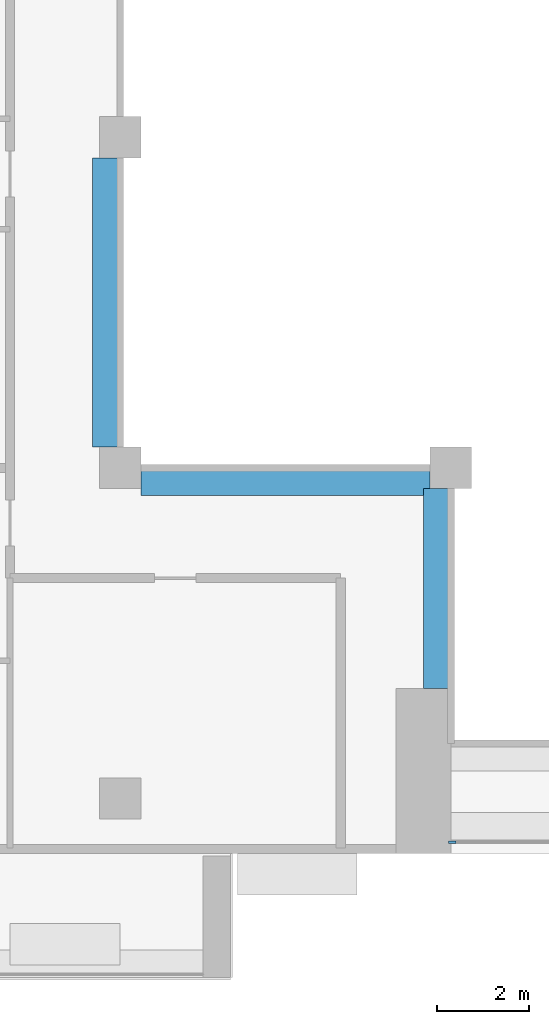
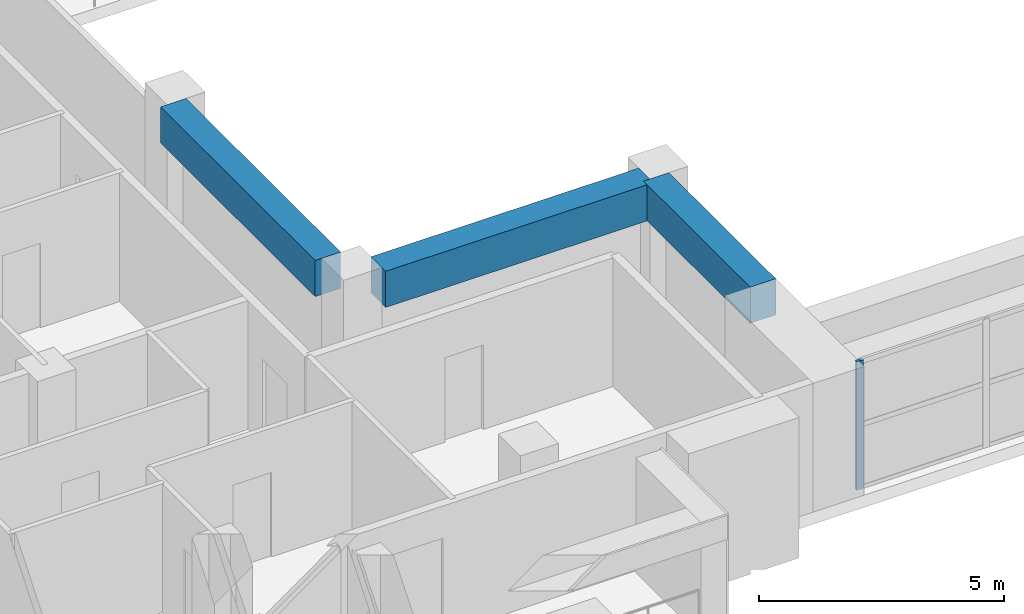
# One storey, part 2 of 20: 3 beams, 1 member, 1 element without a shape of its own.
"""IFC4 building model written with IfcOpenShell, lengths in metres."""

from ifc_helpers import new_model, si_unit, direction, frame, origin, origin_2d, place, context, subcontext, project, spatial, rectangle, extrude, source, transform, mapped, material, layer, layer_set, material_profile, profile_set, type_object, element, aggregate, save


model = new_model("IFC4")

# Units and contexts
model_context = context("Model", 3, precision=1e-05, world=origin(), true_north=direction((0.0, 1.0)))
body_context = subcontext(model_context, "Body", "Model", "MODEL_VIEW")
ifc_project = project(units=[si_unit("LENGTHUNIT", "METRE"), si_unit("AREAUNIT", "SQUARE_METRE"), si_unit("VOLUMEUNIT", "CUBIC_METRE"), si_unit("PLANEANGLEUNIT", "RADIAN"), si_unit("MASSUNIT", "GRAM", prefix="KILO")], contexts=[model_context])

# Site, building, storey
site_placement = place(None, origin())
site = spatial("IfcSite", under=ifc_project, at=site_placement, CompositionType="ELEMENT")
building_placement = place(site_placement, origin())
building = spatial("IfcBuilding", under=site, at=building_placement, Name="Saffron Iwan Residences", CompositionType="ELEMENT")
storey_placement = place(building_placement, frame((0.0, 0.0, 195.5)))
storey = spatial("IfcBuildingStorey", under=building, at=storey_placement, Name="L52", CompositionType="ELEMENT", Elevation=195.5)

# Beams
ifc_material_1 = material(Name="Concrete C50/60", Category="concrete")
ifc_material_profile_1 = material_profile(ifc_material_1, rectangle(XDim=0.60009765625, YDim=0.89990234375, at=origin_2d()), Name="RC 600x900")
ifc_profile_set_1 = profile_set([ifc_material_profile_1], Name="Concrete C50/60")
beam_type = type_object("IfcBeamType", Name="BEAM RC 600x900 C50/60 TOP 3200", PredefinedType="BEAM", material=ifc_profile_set_1)
shared_shape_1 = source(origin(), body_context, "Body", "SweptSolid", [
    extrude(rectangle(XDim=0.60009765625, YDim=0.89990234375, at=origin_2d()), origin(), (0.0, 0.0, 1.0), 4.35009765625),
])
beam_placement = place(storey_placement, frame((42.89990234375, 43.199951171875, 2.75), z_axis=(0.0, 1.0, 0.0), x_axis=(-1.0, 0.0, 0.0)))
element("IfcBeam", 1, at=beam_placement, inside=storey, type_object=beam_type, Name="Atrium edge beam", PredefinedType="BEAM", context=body_context, shape_type="MappedRepresentation", body=[
    mapped(shared_shape_1, transform((0.0, 0.0, 0.0))),
])
shared_shape_2 = source(origin(), body_context, "Body", "SweptSolid", [
    extrude(rectangle(XDim=0.60009765625, YDim=0.89990234375, at=origin_2d()), origin(), (0.0, 0.0, 1.0), 6.300048828125),
])
for number, where, z_axis, x_axis, name in (
    (2, (42.75, 47.699951171875, 2.75), (-1.0, 0.0, 0.0), (0.0, -1.0, 0.0), "Atrium edge beam"),
    (3, (35.699951171875, 48.449951171875, 2.75), (0.0, 1.0, 0.0), (-1.0, 0.0, 0.0), "Atrium edge beam"),
):
    element("IfcBeam", number, at=place(storey_placement, frame(where, z_axis=z_axis, x_axis=x_axis)), inside=storey, type_object=beam_type, Name=name, PredefinedType="BEAM", context=body_context, shape_type="MappedRepresentation", body=[
        mapped(shared_shape_2, transform((0.0, 0.0, 0.0))),
    ])

# Curtain wall, member
ifc_material_2 = material(Name="Clear glass, laminated double glazed", Category="glass")
ifc_layer = layer(ifc_material_2, 0.199951171875)
ifc_layer_set = layer_set([ifc_layer], Name="Clear glass, laminated double glazed")
curtain_wall_type = type_object("IfcCurtainWallType", Name="CW-B IWAN PORTAL", PredefinedType="NOTDEFINED", material=ifc_layer_set)
curtain_wall_placement = place(storey_placement, origin())
curtain_wall = element("IfcCurtainWall", 4, at=curtain_wall_placement, inside=storey, type_object=curtain_wall_type, Name="Iwan portal glazing L52.1", PredefinedType="NOTDEFINED")
ifc_material_3 = material(Name="Aluminium 6063-T6", Category="aluminium")
ifc_material_profile_2 = material_profile(ifc_material_3, rectangle(XDim=0.06005859375, YDim=0.159912109375, at=origin_2d()), Name="CW-B MULLION 60 x 160")
ifc_profile_set_2 = profile_set([ifc_material_profile_2], Name="Aluminium 6063-T6")
member_type = type_object("IfcMemberType", Name="CW-B MULLION 60 x 160", PredefinedType="MULLION", material=ifc_profile_set_2)
shared_shape_3 = source(origin(), body_context, "Body", "SweptSolid", [
    extrude(rectangle(XDim=0.06005859375, YDim=0.159912109375, at=origin_2d()), origin(), (0.0, 0.0, 1.0), 3.199951171875),
])
member_placement = place(storey_placement, frame((43.22998046875, 39.85009765625, 0.0), z_axis=(0.0, 0.0, 1.0), x_axis=(0.0, 1.0, 0.0)))
member = element("IfcMember", 5, at=member_placement, type_object=member_type, Name="CW-B mullion 1", PredefinedType="MULLION", context=body_context, shape_type="MappedRepresentation", body=[
    mapped(shared_shape_3, transform((0.0, 0.0, 0.0))),
])
aggregate(curtain_wall, [member])

save(model, "model.ifc")
